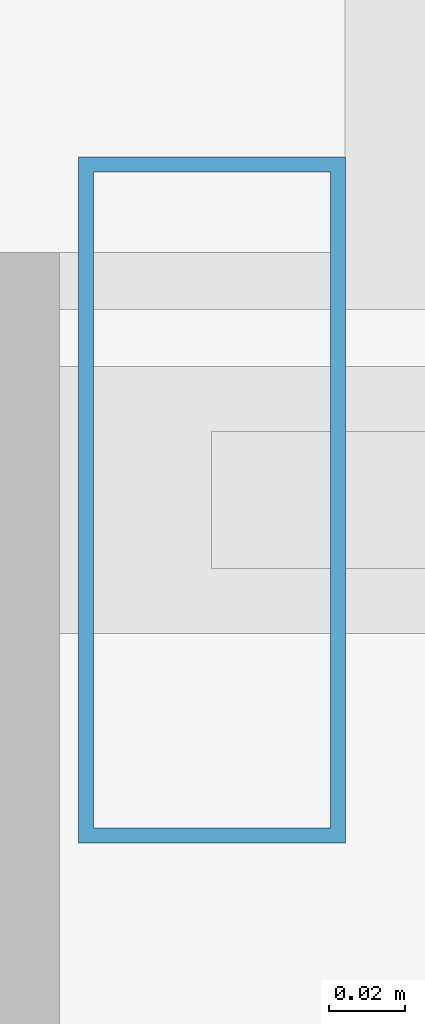
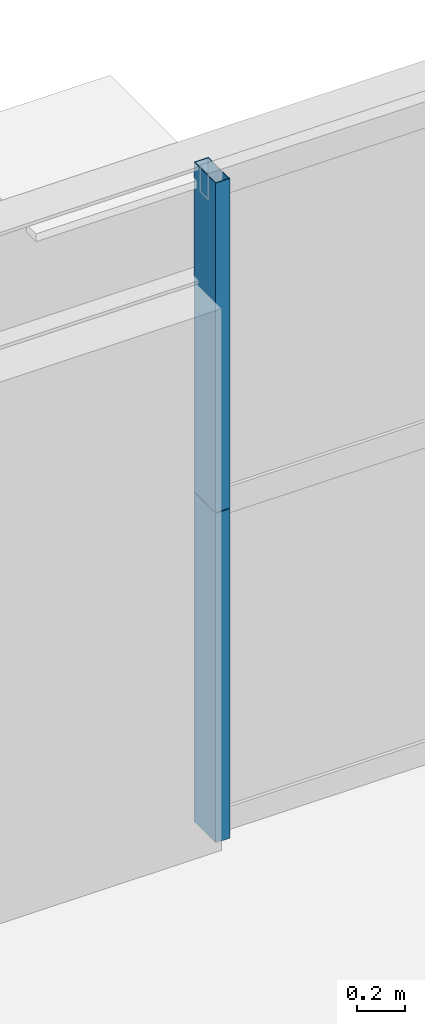
# One storey, part 27 of 45: 2 members, 1 element without a shape of its own.
"""IFC4 building model written with IfcOpenShell, lengths in metres."""

from ifc_helpers import new_model, si_unit, direction, frame, origin, origin_2d, place, context, subcontext, project, spatial, hollow_rectangle, extrude, source, transform, mapped, material, layer, layer_set, material_profile, profile_set, type_object, element, aggregate, save


model = new_model("IFC4")

# Units and contexts
model_context = context("Model", 3, precision=1e-05, world=origin(), true_north=direction((0.0, 1.0)))
body_context = subcontext(model_context, "Body", "Model", "MODEL_VIEW")
ifc_project = project(units=[si_unit("LENGTHUNIT", "METRE"), si_unit("AREAUNIT", "SQUARE_METRE"), si_unit("VOLUMEUNIT", "CUBIC_METRE"), si_unit("PLANEANGLEUNIT", "RADIAN"), si_unit("MASSUNIT", "GRAM", prefix="KILO"), si_unit("THERMODYNAMICTEMPERATUREUNIT", "KELVIN"), si_unit("POWERUNIT", "WATT")], contexts=[model_context])

# Site, building, storey
site_placement = place(None, origin())
site = spatial("IfcSite", under=ifc_project, at=site_placement, CompositionType="ELEMENT")
building_placement = place(site_placement, origin())
building = spatial("IfcBuilding", under=site, at=building_placement, Name="Yuzanri Waterfront Tower", CompositionType="ELEMENT")
storey_placement = place(building_placement, frame((0.0, 0.0, 49.60009765625)))
storey = spatial("IfcBuildingStorey", under=building, at=storey_placement, Name="L12", CompositionType="ELEMENT", Elevation=49.60009765625)

# Curtain wall, members
ifc_material_1 = material(Name="Anodized Architectural Bronze", Category="metal")
ifc_layer = layer(ifc_material_1, 0.159912109375)
ifc_layer_set = layer_set([ifc_layer], Name="Anodized Architectural Bronze")
curtain_wall_type = type_object("IfcCurtainWallType", Name="Anodized Bronze Hotel Lower-Tier Recessed Unitized Curtain Wall 8100", PredefinedType="NOTDEFINED", material=ifc_layer_set)
curtain_wall_placement = place(storey_placement, origin())
curtain_wall = element("IfcCurtainWall", 1, at=curtain_wall_placement, inside=storey, type_object=curtain_wall_type, Name="L12 Curtain Wall CW-L12-NL", PredefinedType="NOTDEFINED")
ifc_material_2 = material(Name="Anodized Architectural Bronze", Category="metal")
ifc_material_profile = material_profile(ifc_material_2, hollow_rectangle(XDim=0.070068359375, YDim=0.179931640625, WallThickness=0.00390625, at=origin_2d()), Name="CWM 70x180")
ifc_profile_set = profile_set([ifc_material_profile], Name="Anodized Architectural Bronze")
member_type = type_object("IfcMemberType", Name="Anodized Bronze Standard Curtain-Wall Mullion 70x180", PredefinedType="MULLION", material=ifc_profile_set)
shared_shape = source(origin(), body_context, "Body", "SweptSolid", [
    extrude(hollow_rectangle(XDim=0.070068359375, YDim=0.179931640625, WallThickness=0.00390625, at=origin_2d()), origin(), (0.0, 0.0, 1.0), 1.68798828125),
])
member_1_placement = place(storey_placement, frame((19.2900390625, 50.75, 0.0), z_axis=(0.0, 0.0, 1.0), x_axis=(1.0, 0.0, 0.0)))
member_1 = element("IfcMember", 2, at=member_1_placement, type_object=member_type, Name="CW-L12-NL Lower Mullion 00", PredefinedType="MULLION", context=body_context, shape_type="MappedRepresentation", body=[
    mapped(shared_shape, transform((0.0, 0.0, 0.0), scale=1.0)),
])
member_2_placement = place(storey_placement, frame((19.2900390625, 50.75, 1.69189453125), z_axis=(0.0, 0.0, 1.0), x_axis=(1.0, 0.0, 0.0)))
member_2 = element("IfcMember", 3, at=member_2_placement, type_object=member_type, Name="CW-L12-NL Upper Mullion 00", PredefinedType="MULLION", context=body_context, shape_type="MappedRepresentation", body=[
    mapped(shared_shape, transform((0.0, 0.0, 0.0), scale=1.0)),
])
aggregate(curtain_wall, [member_1, member_2])

save(model, "model.ifc")
